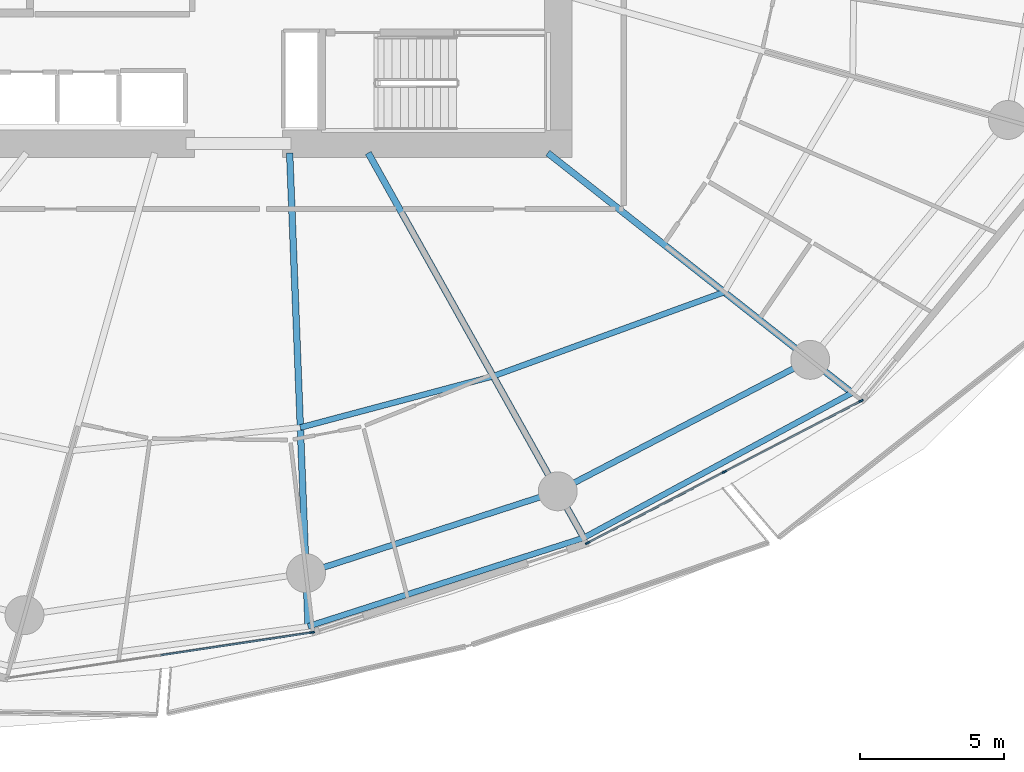
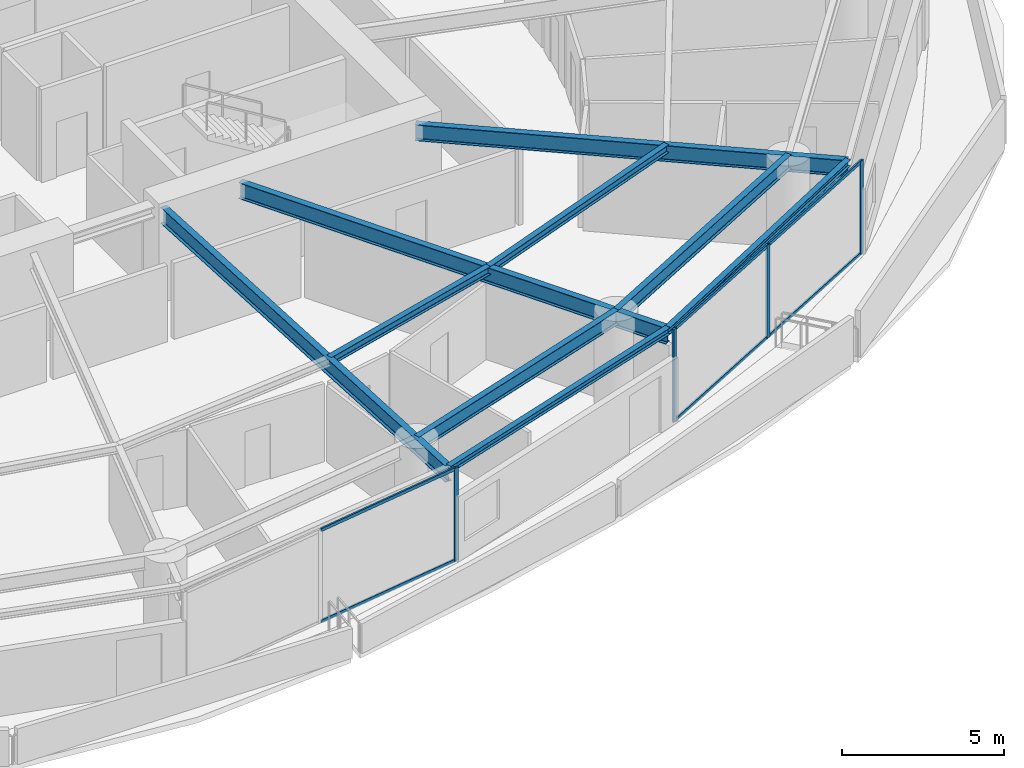
# One storey, part 9 of 32: 10 members, 9 beams, 2 elements without a shape of their own.
"""IFC4 building model written with IfcOpenShell, lengths in metres."""

import ifcopenshell
import ifcopenshell.guid

model = None  # the IFC model being written
_history = None  # IfcOwnerHistory: only IFC2X3 demands one
_inside = {}  # id of a spatial element -> (the spatial element, [elements in it])
_under = {}  # id of a project, library or spatial element -> (it, [spatial elements below it])
_declared = {}  # id of a project -> (the project, [libraries it declares])
_typed = {}  # id of a type object -> (the type object, [elements of that type])
_made_of = {}  # id of a material, layer set ... -> (it, [elements and type objects made of it])


def new_model(schema):
    """Start an empty IFC model of exactly this schema.

    Asked for "IFC4X3", IfcOpenShell would pick the latest addendum, in which some entities
    have other attributes; the version numbers below select the first issue.
    IFC2X3 requires an IfcOwnerHistory on every rooted entity: one is made here for all.
    """
    global model, _history
    if schema == "IFC4X3":
        model = ifcopenshell.file(schema_version=(4, 3, 0, 0))
    else:
        model = ifcopenshell.file(schema=schema)
    _inside.clear()
    _under.clear()
    _declared.clear()
    _typed.clear()
    _made_of.clear()
    _history = None
    if model.schema == "IFC2X3":
        org = make("IfcOrganization", Name="unknown")
        user = make(
            "IfcPersonAndOrganization",
            ThePerson=make("IfcPerson", FamilyName="unknown"),
            TheOrganization=org,
        )
        app = make(
            "IfcApplication",
            ApplicationDeveloper=org,
            Version="unknown",
            ApplicationFullName="unknown",
            ApplicationIdentifier="unknown",
        )
        _history = make(
            "IfcOwnerHistory",
            OwningUser=user,
            OwningApplication=app,
            ChangeAction="ADDED",
            CreationDate=0,
        )
    return model


def make(cls, **values):
    """One entity of the class cls with the attributes given. An attribute that is None is left unset."""
    return model.create_entity(
        cls, **{name: value for name, value in values.items() if value is not None}
    )


def rooted(cls, **values):
    """An entity with a GlobalId (a new one), such as an element, a storey or a relation."""
    return make(cls, GlobalId=ifcopenshell.guid.new(), OwnerHistory=_history, **values)


def si_unit(unit_type, name, prefix=None):
    """IfcSIUnit, for example si_unit("LENGTHUNIT", "METRE", prefix="MILLI")."""
    return make("IfcSIUnit", UnitType=unit_type, Prefix=prefix, Name=name)


def assignment(units):
    """IfcUnitAssignment: the units of a project."""
    return None if units is None else make("IfcUnitAssignment", Units=units)


def point(xyz):
    """IfcCartesianPoint."""
    return None if xyz is None else make("IfcCartesianPoint", Coordinates=xyz)


def direction(xyz):
    """IfcDirection."""
    return None if xyz is None else make("IfcDirection", DirectionRatios=xyz)


def frame(location, z_axis=None, x_axis=None):
    """IfcAxis2Placement3D, a coordinate frame: its origin and axes. An axis left out is left unset."""
    return make(
        "IfcAxis2Placement3D",
        Location=point(location),
        Axis=direction(z_axis),
        RefDirection=direction(x_axis),
    )


def frame_2d(location, x_axis=None):
    """IfcAxis2Placement2D, a coordinate frame in the plane: its origin and x axis."""
    return make(
        "IfcAxis2Placement2D", Location=point(location), RefDirection=direction(x_axis)
    )


def origin():
    """The frame at (0, 0, 0) with its axes left unset."""
    return frame((0.0, 0.0, 0.0))


def origin_2d():
    """The frame at (0, 0) in the plane with its x axis left unset."""
    return frame_2d((0.0, 0.0))


def place(relative_to, where):
    """IfcLocalPlacement: puts the frame where relative to a parent placement (None: the world)."""
    return make(
        "IfcLocalPlacement", PlacementRelTo=relative_to, RelativePlacement=where
    )


def context(
    kind, dimensions, precision=None, world=None, true_north=None, identifier=None
):
    """IfcGeometricRepresentationContext, for example the 3D "Model" context."""
    return make(
        "IfcGeometricRepresentationContext",
        ContextIdentifier=identifier,
        ContextType=kind,
        CoordinateSpaceDimension=dimensions,
        Precision=precision,
        WorldCoordinateSystem=world,
        TrueNorth=true_north,
    )


def subcontext(parent, identifier, kind, view, scale=None):
    """IfcGeometricRepresentationSubContext, for example "Body" below "Model"."""
    return make(
        "IfcGeometricRepresentationSubContext",
        ContextIdentifier=identifier,
        ContextType=kind,
        ParentContext=parent,
        TargetScale=scale,
        TargetView=view,
    )


def project(units=None, contexts=None):
    """IfcProject with its units and contexts."""
    return rooted(
        "IfcProject",
        Name="project",
        RepresentationContexts=contexts,
        UnitsInContext=assignment(units),
    )


def spatial(cls, under=None, at=None, **own):
    """A site, building, storey or space (cls), placed at a placement, below another one or the project."""
    s = rooted(cls, ObjectPlacement=at, **own)
    if under is not None:
        _under.setdefault(under.id(), (under, []))[1].append(s)
    return s


def profile(cls, at=None, kind="AREA", **sizes):
    """A parametric profile (cls). Its sizes go by their IFC names, for example OverallWidth=200.0."""
    return make(cls, ProfileType=kind, Position=at, **sizes)


def rectangle(**sizes):
    """IfcRectangleProfileDef."""
    return profile("IfcRectangleProfileDef", **sizes)


def i_section(**sizes):
    """IfcIShapeProfileDef."""
    return profile("IfcIShapeProfileDef", **sizes)


def extrude(swept, where, along, depth):
    """IfcExtrudedAreaSolid: the profile swept, set in the frame where, extruded along a direction by depth."""
    return make(
        "IfcExtrudedAreaSolid",
        SweptArea=swept,
        Position=where,
        ExtrudedDirection=direction(along),
        Depth=depth,
    )


def shape(context_of_items, identifier, shape_type, items):
    """IfcShapeRepresentation: the items that make up one representation, for example the "Body"."""
    return make(
        "IfcShapeRepresentation",
        ContextOfItems=context_of_items,
        RepresentationIdentifier=identifier,
        RepresentationType=shape_type,
        Items=items,
    )


def material(Name=None, Category=None):
    """IfcMaterial."""
    return make("IfcMaterial", Name=Name, Category=Category)


def layer(
    of_material, thickness, ventilated=None, Name=None, Category=None, Priority=None
):
    """IfcMaterialLayer: one layer of a wall or slab, of a material (None: an air gap)."""
    return make(
        "IfcMaterialLayer",
        Material=of_material,
        LayerThickness=thickness,
        IsVentilated=ventilated,
        Name=Name,
        Category=Category,
        Priority=Priority,
    )


def layer_set(layers, Name=None):
    """IfcMaterialLayerSet."""
    return make("IfcMaterialLayerSet", MaterialLayers=layers, LayerSetName=Name)


def material_profile(
    of_material, cross_section, Name=None, Category=None, Priority=None
):
    """IfcMaterialProfile: a cross section and its material."""
    return make(
        "IfcMaterialProfile",
        Name=Name,
        Material=of_material,
        Profile=cross_section,
        Priority=Priority,
        Category=Category,
    )


def profile_set(profiles, Name=None, composite=None):
    """IfcMaterialProfileSet."""
    return make(
        "IfcMaterialProfileSet",
        Name=Name,
        MaterialProfiles=profiles,
        CompositeProfile=composite,
    )


def made_of(thing, what):
    """Note that an element or type object is made of a material, layer set ...; save() writes the relation."""
    if what is not None:
        _made_of.setdefault(what.id(), (what, []))[1].append(thing)
    return thing


def type_object(cls, material=None, **own):
    """A type object (cls), such as IfcWallType, which elements share."""
    return made_of(rooted(cls, **own), material)


def element(
    cls,
    number,
    at=None,
    inside=None,
    cuts=None,
    type_object=None,
    material=None,
    context=None,
    identifier="Body",
    shape_type=None,
    held_by="IfcProductDefinitionShape",
    body=None,
    shapes=None,
    **own,
):
    """One element of the class cls, such as IfcWall. Its Tag is "e" and its number.

    at: its placement. inside: the storey or other place that contains it. cuts: it is an
    opening in that element (IfcRelVoidsElement). A single representation is given by context,
    identifier, shape_type and body (its items); several are given by shapes. held_by: the class
    of the entity that holds the representations. save() writes the other relations.
    """
    e = rooted(cls, Tag="e%d" % number, ObjectPlacement=at, **own)
    if body is not None:
        shapes = [shape(context, identifier, shape_type, body)]
    if shapes is not None:
        e.Representation = make(held_by, Representations=shapes)
    if inside is not None:
        _inside.setdefault(inside.id(), (inside, []))[1].append(e)
    if cuts is not None:
        rooted(
            "IfcRelVoidsElement", RelatingBuildingElement=cuts, RelatedOpeningElement=e
        )
    if type_object is not None:
        _typed.setdefault(type_object.id(), (type_object, []))[1].append(e)
    return made_of(e, material)


def aggregate(whole, parts):
    """IfcRelAggregates: a whole, such as a stair, and the parts it consists of."""
    return rooted("IfcRelAggregates", RelatingObject=whole, RelatedObjects=parts)


def save(model, path):
    """Write the relations noted so far, then the file.

    IfcRelAggregates (storeys below a building ...), IfcRelContainedInSpatialStructure (elements
    in a storey), IfcRelDefinesByType, IfcRelAssociatesMaterial and IfcRelDeclares: one each for
    every whole, place, type object, material and project.
    """
    for whole, parts in _under.values():
        aggregate(whole, parts)
    for where, things in _inside.values():
        rooted(
            "IfcRelContainedInSpatialStructure",
            RelatedElements=things,
            RelatingStructure=where,
        )
    for kind, things in _typed.values():
        rooted("IfcRelDefinesByType", RelatedObjects=things, RelatingType=kind)
    for what, things in _made_of.values():
        rooted("IfcRelAssociatesMaterial", RelatedObjects=things, RelatingMaterial=what)
    for by, libraries in _declared.values():
        rooted("IfcRelDeclares", RelatingContext=by, RelatedDefinitions=libraries)
    model.write(path)


model = new_model("IFC4")

# Units and contexts
model_context = context("Model", 3, precision=1e-05, world=origin(), true_north=direction((0.0, 1.0)))
body_context = subcontext(model_context, "Body", "Model", "MODEL_VIEW")
ifc_project = project(units=[si_unit("LENGTHUNIT", "METRE"), si_unit("AREAUNIT", "SQUARE_METRE"), si_unit("VOLUMEUNIT", "CUBIC_METRE"), si_unit("PLANEANGLEUNIT", "RADIAN"), si_unit("MASSUNIT", "GRAM", prefix="KILO")], contexts=[model_context])

# Site, building, storey
site_placement = place(None, origin())
site = spatial("IfcSite", under=ifc_project, at=site_placement, CompositionType="ELEMENT")
building_placement = place(site_placement, origin())
building = spatial("IfcBuilding", under=site, at=building_placement, Name="Kazma Halo Residences", CompositionType="ELEMENT")
storey_placement = place(building_placement, frame((0.0, 0.0, 63.89990234375)))
storey = spatial("IfcBuildingStorey", under=building, at=storey_placement, Name="L15", CompositionType="ELEMENT", Elevation=63.89990234375)

# Beams
ifc_material_1 = material(Name="Steel S355", Category="steel")
ifc_material_profile_1 = material_profile(ifc_material_1, i_section(OverallWidth=0.201904296875, OverallDepth=0.2470703125, WebThickness=0.00732421875, FlangeThickness=0.010986328125, FilletRadius=0.011962890625, at=origin_2d()), Name="W250x49.1")
ifc_profile_set_1 = profile_set([ifc_material_profile_1], Name="Steel S355")
beam_type_1 = type_object("IfcBeamType", Name="BM-BAL-CANT", PredefinedType="BEAM", material=ifc_profile_set_1)
beam_1_placement = place(storey_placement, frame((50.84033203125, 16.761962890625, 3.376708984375), z_axis=(0.952101049535, 0.305783569662, 0.0), x_axis=(-0.305783569662, 0.952101049535, 0.0)))
element("IfcBeam", 1, at=beam_1_placement, inside=storey, type_object=beam_type_1, Name="L15 wave-balcony tie beam 12", PredefinedType="BEAM", context=body_context, shape_type="SweptSolid", body=[
    extrude(i_section(OverallWidth=0.201904296875, OverallDepth=0.2470703125, WebThickness=0.00732421875, FlangeThickness=0.010986328125, FilletRadius=0.011962890625, at=origin_2d()), origin(), (0.0, 0.0, 1.0), 10.053466796875),
])
beam_2_placement = place(storey_placement, frame((60.412353515625, 19.836181640625, 3.376708984375), z_axis=(0.879759421466, 0.47541914175, 0.0), x_axis=(-0.47541914175, 0.879759421466, 0.0)))
element("IfcBeam", 2, at=beam_2_placement, inside=storey, type_object=beam_type_1, Name="L15 wave-balcony tie beam 13", PredefinedType="BEAM", context=body_context, shape_type="SweptSolid", body=[
    extrude(i_section(OverallWidth=0.201904296875, OverallDepth=0.2470703125, WebThickness=0.00732421875, FlangeThickness=0.010986328125, FilletRadius=0.011962890625, at=origin_2d()), origin(), (0.0, 0.0, 1.0), 10.58935546875),
])
ifc_material_profile_2 = material_profile(ifc_material_1, i_section(OverallWidth=0.22802734375, OverallDepth=0.60791015625, WebThickness=0.01123046875, FlangeThickness=0.017333984375, FilletRadius=0.01806640625, at=origin_2d()), Name="W610x113")
ifc_profile_set_2 = profile_set([ifc_material_profile_2], Name="Steel S355")
beam_type_2 = type_object("IfcBeamType", Name="BM-RAD-W610", PredefinedType="BEAM", material=ifc_profile_set_2)
beam_3_placement = place(storey_placement, frame((50.199951171875, 33.199951171875, 3.196044921875), z_axis=(0.038927845379, -0.999242024163, 0.0), x_axis=(0.999242024163, 0.038927845379, 0.0)))
element("IfcBeam", 3, at=beam_3_placement, inside=storey, type_object=beam_type_2, Name="L15 radial floor beam 12", PredefinedType="BEAM", context=body_context, shape_type="SweptSolid", body=[
    extrude(i_section(OverallWidth=0.22802734375, OverallDepth=0.60791015625, WebThickness=0.01123046875, FlangeThickness=0.017333984375, FilletRadius=0.01806640625, at=origin_2d()), origin(), (0.0, 0.0, 1.0), 16.450439453125),
])
beam_4_placement = place(storey_placement, frame((52.92822265625, 33.199951171875, 3.196044921875), z_axis=(0.488624239587, -0.872494328055, 0.0), x_axis=(0.872494328055, 0.488624239587, 0.0)))
element("IfcBeam", 4, at=beam_4_placement, inside=storey, type_object=beam_type_2, Name="L15 radial floor beam 13", PredefinedType="BEAM", context=body_context, shape_type="SweptSolid", body=[
    extrude(i_section(OverallWidth=0.22802734375, OverallDepth=0.60791015625, WebThickness=0.01123046875, FlangeThickness=0.017333984375, FilletRadius=0.01806640625, at=origin_2d()), origin(), (0.0, 0.0, 1.0), 15.316650390625),
])
beam_5_placement = place(storey_placement, frame((59.16259765625, 33.199951171875, 3.196044921875), z_axis=(0.785322437877, -0.619086963655, 0.0), x_axis=(0.619086963655, 0.785322437877, 0.0)))
element("IfcBeam", 5, at=beam_5_placement, inside=storey, type_object=beam_type_2, Name="L15 radial floor beam 14", PredefinedType="BEAM", context=body_context, shape_type="SweptSolid", body=[
    extrude(i_section(OverallWidth=0.22802734375, OverallDepth=0.60791015625, WebThickness=0.01123046875, FlangeThickness=0.017333984375, FilletRadius=0.01806640625, at=origin_2d()), origin(), (0.0, 0.0, 1.0), 13.454345703125),
])
ifc_material_profile_3 = material_profile(ifc_material_1, i_section(OverallWidth=0.202880859375, OverallDepth=0.302978515625, WebThickness=0.007568359375, FlangeThickness=0.01318359375, FilletRadius=0.013916015625, at=origin_2d()), Name="W310x60")
ifc_profile_set_3 = profile_set([ifc_material_profile_3], Name="Steel S355")
beam_type_3 = type_object("IfcBeamType", Name="BM-SEC-W310A", PredefinedType="JOIST", material=ifc_profile_set_3)
beam_6_placement = place(storey_placement, frame((50.5712890625, 23.666015625, 3.3486328125), z_axis=(0.966337757832, 0.257276772735, 0.0), x_axis=(-0.257276772735, 0.966337757832, 0.0)))
element("IfcBeam", 6, at=beam_6_placement, inside=storey, type_object=beam_type_3, Name="L15 circumferential floor joist 12", PredefinedType="JOIST", context=body_context, shape_type="SweptSolid", body=[
    extrude(i_section(OverallWidth=0.202880859375, OverallDepth=0.302978515625, WebThickness=0.007568359375, FlangeThickness=0.01318359375, FilletRadius=0.013916015625, at=origin_2d()), origin(), (0.0, 0.0, 1.0), 6.93115234375),
])
beam_7_placement = place(storey_placement, frame((57.26904296875, 25.44921875, 3.3486328125), z_axis=(0.939695690299, 0.34201170979, 0.0), x_axis=(-0.34201170979, 0.939695690299, 0.0)))
element("IfcBeam", 7, at=beam_7_placement, inside=storey, type_object=beam_type_3, Name="L15 circumferential floor joist 13", PredefinedType="JOIST", context=body_context, shape_type="SweptSolid", body=[
    extrude(i_section(OverallWidth=0.202880859375, OverallDepth=0.302978515625, WebThickness=0.007568359375, FlangeThickness=0.01318359375, FilletRadius=0.013916015625, at=origin_2d()), origin(), (0.0, 0.0, 1.0), 8.536865234375),
])
ifc_material_profile_4 = material_profile(ifc_material_1, i_section(OverallWidth=0.208984375, OverallDepth=0.532958984375, WebThickness=0.01025390625, FlangeThickness=0.015625, FilletRadius=0.01611328125, at=origin_2d()), Name="W530x92")
ifc_profile_set_4 = profile_set([ifc_material_profile_4], Name="Steel S355")
beam_type_4 = type_object("IfcBeamType", Name="BM-SPN-W530", PredefinedType="BEAM", material=ifc_profile_set_4)
beam_8_placement = place(storey_placement, frame((50.768310546875, 18.610595703125, 3.233642578125), z_axis=(0.951054956346, 0.309021795363, 0.0), x_axis=(-0.309021795363, 0.951054956346, 0.0)))
element("IfcBeam", 8, at=beam_8_placement, inside=storey, type_object=beam_type_4, Name="L15 perimeter ring beam 12", PredefinedType="BEAM", context=body_context, shape_type="SweptSolid", body=[
    extrude(i_section(OverallWidth=0.208984375, OverallDepth=0.532958984375, WebThickness=0.01025390625, FlangeThickness=0.015625, FilletRadius=0.01611328125, at=origin_2d()), origin(), (0.0, 0.0, 1.0), 9.189697265625),
])
beam_9_placement = place(storey_placement, frame((59.50830078125, 21.450439453125, 3.233642578125), z_axis=(0.886956241699, 0.461853467358, 0.0), x_axis=(-0.461853467358, 0.886956241699, 0.0)))
element("IfcBeam", 9, at=beam_9_placement, inside=storey, type_object=beam_type_4, Name="L15 perimeter ring beam 13", PredefinedType="BEAM", context=body_context, shape_type="SweptSolid", body=[
    extrude(i_section(OverallWidth=0.208984375, OverallDepth=0.532958984375, WebThickness=0.01025390625, FlangeThickness=0.015625, FilletRadius=0.01611328125, at=origin_2d()), origin(), (0.0, 0.0, 1.0), 9.885009765625),
])

# Curtain wall, member
ifc_material_2 = material(Name="Aluminium AW-6063 T6 and Triple-Silver Low-E Glass", Category="aluminium")
ifc_layer = layer(ifc_material_2, 0.159912109375)
ifc_layer_set = layer_set([ifc_layer], Name="Aluminium AW-6063 T6 and Triple-Silver Low-E Glass")
curtain_wall_type = type_object("IfcCurtainWallType", Name="CW-SYS-2", PredefinedType="NOTDEFINED", material=ifc_layer_set)
curtain_wall_1_placement = place(storey_placement, origin())
curtain_wall_1 = element("IfcCurtainWall", 10, at=curtain_wall_1_placement, inside=storey, type_object=curtain_wall_type, Name="L15 unitised curtain wall B11", PredefinedType="NOTDEFINED")
ifc_material_3 = material(Name="Aluminium AW-6063 T6", Category="aluminium")
ifc_material_profile_5 = material_profile(ifc_material_3, rectangle(XDim=0.06005859375, YDim=0.159912109375, at=origin_2d()), Name="CWM-60x160")
ifc_profile_set_5 = profile_set([ifc_material_profile_5], Name="Aluminium AW-6063 T6")
member_type_1 = type_object("IfcMemberType", Name="CW-SYS-2-MUL", PredefinedType="MULLION", material=ifc_profile_set_5)
member_1_placement = place(storey_placement, frame((50.981689453125, 16.552490234375, 0.0), z_axis=(0.0, 0.0, 1.0), x_axis=(-0.148657272805, 0.988888777994, 0.0)))
member_1 = element("IfcMember", 11, at=member_1_placement, type_object=member_type_1, Name="CWS-2 mullion 3", PredefinedType="MULLION", context=body_context, shape_type="SweptSolid", body=[
    extrude(rectangle(XDim=0.06005859375, YDim=0.159912109375, at=origin_2d()), origin(), (0.0, 0.0, 1.0), 3.5),
])

# Curtain wall, members
curtain_wall_2_placement = place(storey_placement, origin())
curtain_wall_2 = element("IfcCurtainWall", 12, at=curtain_wall_2_placement, inside=storey, type_object=curtain_wall_type, Name="L15 unitised curtain wall B13", PredefinedType="NOTDEFINED")
member_2_placement = place(storey_placement, frame((60.54541015625, 19.659912109375, 0.0), z_axis=(0.0, 0.0, 1.0), x_axis=(-0.460995912628, 0.887402258584, 0.0)))
member_2 = element("IfcMember", 13, at=member_2_placement, type_object=member_type_1, Name="CWS-2 mullion 1", PredefinedType="MULLION", context=body_context, shape_type="SweptSolid", body=[
    extrude(rectangle(XDim=0.06005859375, YDim=0.159912109375, at=origin_2d()), origin(), (0.0, 0.0, 1.0), 3.5),
])
member_3_placement = place(storey_placement, frame((65.2919921875, 22.125732421875, 0.0), z_axis=(0.0, 0.0, 1.0), x_axis=(-0.460995912628, 0.887402258584, 0.0)))
member_3 = element("IfcMember", 14, at=member_3_placement, type_object=member_type_1, Name="CWS-2 mullion 2", PredefinedType="MULLION", context=body_context, shape_type="SweptSolid", body=[
    extrude(rectangle(XDim=0.06005859375, YDim=0.159912109375, at=origin_2d()), origin(), (0.0, 0.0, 1.0), 3.5),
])
member_4_placement = place(storey_placement, frame((70.03857421875, 24.591552734375, 0.0), z_axis=(0.0, 0.0, 1.0), x_axis=(-0.460995912628, 0.887402258584, 0.0)))
member_4 = element("IfcMember", 15, at=member_4_placement, type_object=member_type_1, Name="CWS-2 mullion 3", PredefinedType="MULLION", context=body_context, shape_type="SweptSolid", body=[
    extrude(rectangle(XDim=0.06005859375, YDim=0.159912109375, at=origin_2d()), origin(), (0.0, 0.0, 1.0), 3.5),
])

# Member
ifc_material_profile_6 = material_profile(ifc_material_3, rectangle(XDim=0.06005859375, YDim=0.1201171875, at=origin_2d()), Name="CWT-60x120")
ifc_profile_set_6 = profile_set([ifc_material_profile_6], Name="Aluminium AW-6063 T6")
member_type_2 = type_object("IfcMemberType", Name="CW-SYS-2-TRN", PredefinedType="USERDEFINED", material=ifc_profile_set_6)
member_5_placement = place(storey_placement, frame((45.721923828125, 15.761962890625, 0.030029296875), z_axis=(0.98889195415, 0.148636143041, 0.0), x_axis=(-0.148636143041, 0.98889195415, 0.0)))
member_5 = element("IfcMember", 16, at=member_5_placement, type_object=member_type_2, Name="CWS-2 transom 2.1", ObjectType="TRANSOM", PredefinedType="USERDEFINED", context=body_context, shape_type="SweptSolid", body=[
    extrude(rectangle(XDim=0.06005859375, YDim=0.1201171875, at=origin_2d()), origin(), (0.0, 0.0, 1.0), 5.2890625),
])

member_6_placement = place(storey_placement, frame((45.721923828125, 15.761962890625, 3.47021484375), z_axis=(0.98889195415, 0.148636143041, 0.0), x_axis=(-0.148636143041, 0.98889195415, 0.0)))
member_6 = element("IfcMember", 17, at=member_6_placement, type_object=member_type_2, Name="CWS-2 transom 2.2", ObjectType="TRANSOM", PredefinedType="USERDEFINED", context=body_context, shape_type="SweptSolid", body=[
    extrude(rectangle(XDim=0.06005859375, YDim=0.1201171875, at=origin_2d()), origin(), (0.0, 0.0, 1.0), 5.2890625),
])

aggregate(curtain_wall_1, [member_1, member_5, member_6])

member_7_placement = place(storey_placement, frame((60.572021484375, 19.673828125, 0.030029296875), z_axis=(0.887414738583, 0.460971888238, 0.0), x_axis=(-0.460971888238, 0.887414738583, 0.0)))
member_7 = element("IfcMember", 18, at=member_7_placement, type_object=member_type_2, Name="CWS-2 transom 1.1", ObjectType="TRANSOM", PredefinedType="USERDEFINED", context=body_context, shape_type="SweptSolid", body=[
    extrude(rectangle(XDim=0.06005859375, YDim=0.1201171875, at=origin_2d()), origin(), (0.0, 0.0, 1.0), 5.288818359375),
])

member_8_placement = place(storey_placement, frame((60.572021484375, 19.673828125, 3.47021484375), z_axis=(0.887414738583, 0.460971888238, 0.0), x_axis=(-0.460971888238, 0.887414738583, 0.0)))
member_8 = element("IfcMember", 19, at=member_8_placement, type_object=member_type_2, Name="CWS-2 transom 1.2", ObjectType="TRANSOM", PredefinedType="USERDEFINED", context=body_context, shape_type="SweptSolid", body=[
    extrude(rectangle(XDim=0.06005859375, YDim=0.1201171875, at=origin_2d()), origin(), (0.0, 0.0, 1.0), 5.288818359375),
])

member_9_placement = place(storey_placement, frame((65.318603515625, 22.1396484375, 0.030029296875), z_axis=(0.887414738583, 0.460971888238, 0.0), x_axis=(-0.460971888238, 0.887414738583, 0.0)))
member_9 = element("IfcMember", 20, at=member_9_placement, type_object=member_type_2, Name="CWS-2 transom 2.1", ObjectType="TRANSOM", PredefinedType="USERDEFINED", context=body_context, shape_type="SweptSolid", body=[
    extrude(rectangle(XDim=0.06005859375, YDim=0.1201171875, at=origin_2d()), origin(), (0.0, 0.0, 1.0), 5.288818359375),
])

member_10_placement = place(storey_placement, frame((65.318603515625, 22.1396484375, 3.47021484375), z_axis=(0.887414738583, 0.460971888238, 0.0), x_axis=(-0.460971888238, 0.887414738583, 0.0)))
member_10 = element("IfcMember", 21, at=member_10_placement, type_object=member_type_2, Name="CWS-2 transom 2.2", ObjectType="TRANSOM", PredefinedType="USERDEFINED", context=body_context, shape_type="SweptSolid", body=[
    extrude(rectangle(XDim=0.06005859375, YDim=0.1201171875, at=origin_2d()), origin(), (0.0, 0.0, 1.0), 5.288818359375),
])

aggregate(curtain_wall_2, [member_2, member_3, member_4, member_7, member_8, member_9, member_10])

save(model, "model.ifc")
